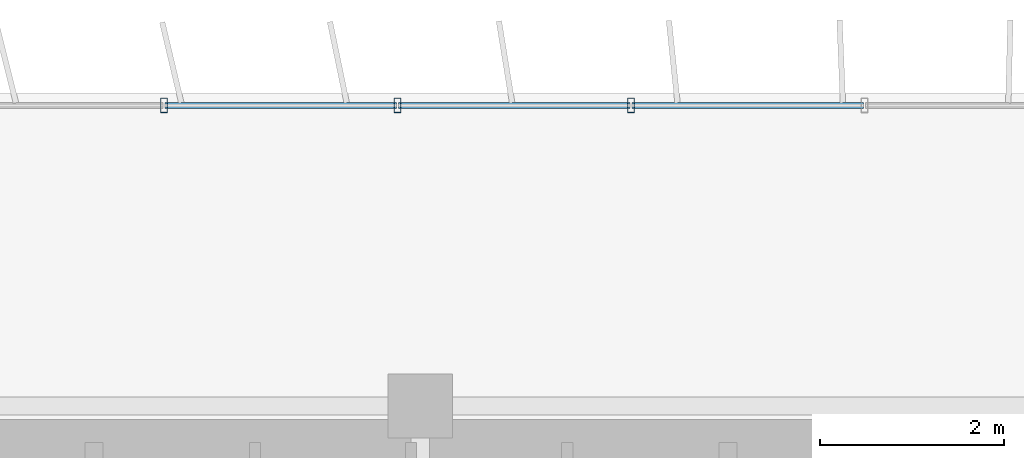
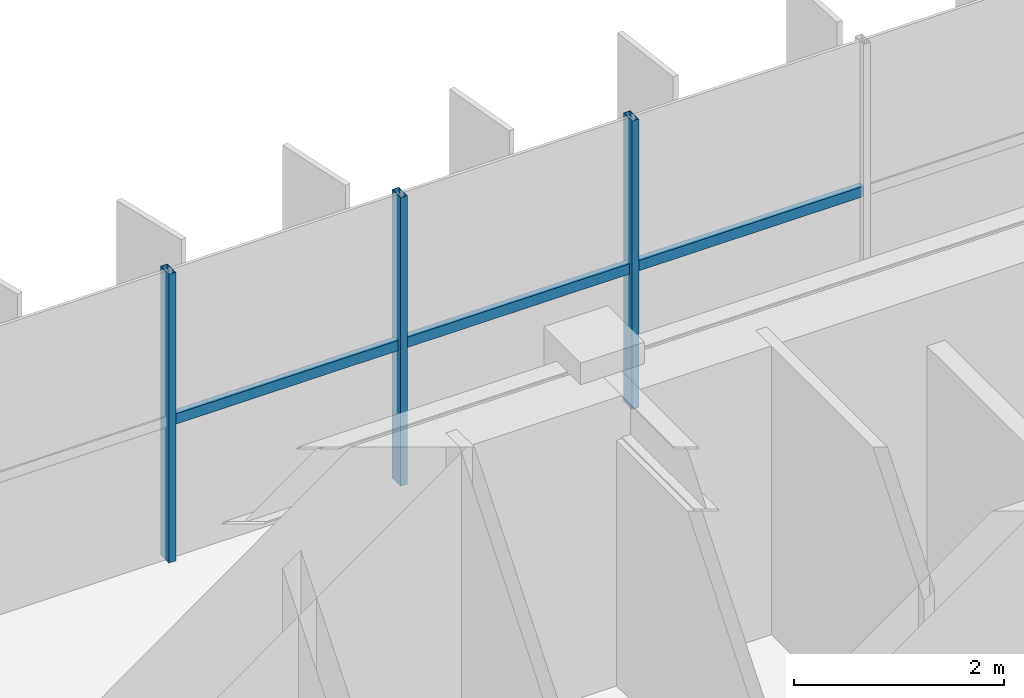
# One storey, part 9 of 20: 6 members, 1 element without a shape of its own.
"""IFC4 building model written with IfcOpenShell, lengths in metres."""

import ifcopenshell
import ifcopenshell.guid

model = None  # the IFC model being written
_history = None  # IfcOwnerHistory: only IFC2X3 demands one
_inside = {}  # id of a spatial element -> (the spatial element, [elements in it])
_under = {}  # id of a project, library or spatial element -> (it, [spatial elements below it])
_declared = {}  # id of a project -> (the project, [libraries it declares])
_typed = {}  # id of a type object -> (the type object, [elements of that type])
_made_of = {}  # id of a material, layer set ... -> (it, [elements and type objects made of it])


def new_model(schema):
    """Start an empty IFC model of exactly this schema.

    Asked for "IFC4X3", IfcOpenShell would pick the latest addendum, in which some entities
    have other attributes; the version numbers below select the first issue.
    IFC2X3 requires an IfcOwnerHistory on every rooted entity: one is made here for all.
    """
    global model, _history
    if schema == "IFC4X3":
        model = ifcopenshell.file(schema_version=(4, 3, 0, 0))
    else:
        model = ifcopenshell.file(schema=schema)
    _inside.clear()
    _under.clear()
    _declared.clear()
    _typed.clear()
    _made_of.clear()
    _history = None
    if model.schema == "IFC2X3":
        org = make("IfcOrganization", Name="unknown")
        user = make(
            "IfcPersonAndOrganization",
            ThePerson=make("IfcPerson", FamilyName="unknown"),
            TheOrganization=org,
        )
        app = make(
            "IfcApplication",
            ApplicationDeveloper=org,
            Version="unknown",
            ApplicationFullName="unknown",
            ApplicationIdentifier="unknown",
        )
        _history = make(
            "IfcOwnerHistory",
            OwningUser=user,
            OwningApplication=app,
            ChangeAction="ADDED",
            CreationDate=0,
        )
    return model


def make(cls, **values):
    """One entity of the class cls with the attributes given. An attribute that is None is left unset."""
    return model.create_entity(
        cls, **{name: value for name, value in values.items() if value is not None}
    )


def rooted(cls, **values):
    """An entity with a GlobalId (a new one), such as an element, a storey or a relation."""
    return make(cls, GlobalId=ifcopenshell.guid.new(), OwnerHistory=_history, **values)


def si_unit(unit_type, name, prefix=None):
    """IfcSIUnit, for example si_unit("LENGTHUNIT", "METRE", prefix="MILLI")."""
    return make("IfcSIUnit", UnitType=unit_type, Prefix=prefix, Name=name)


def assignment(units):
    """IfcUnitAssignment: the units of a project."""
    return None if units is None else make("IfcUnitAssignment", Units=units)


def point(xyz):
    """IfcCartesianPoint."""
    return None if xyz is None else make("IfcCartesianPoint", Coordinates=xyz)


def direction(xyz):
    """IfcDirection."""
    return None if xyz is None else make("IfcDirection", DirectionRatios=xyz)


def frame(location, z_axis=None, x_axis=None):
    """IfcAxis2Placement3D, a coordinate frame: its origin and axes. An axis left out is left unset."""
    return make(
        "IfcAxis2Placement3D",
        Location=point(location),
        Axis=direction(z_axis),
        RefDirection=direction(x_axis),
    )


def frame_2d(location, x_axis=None):
    """IfcAxis2Placement2D, a coordinate frame in the plane: its origin and x axis."""
    return make(
        "IfcAxis2Placement2D", Location=point(location), RefDirection=direction(x_axis)
    )


def origin():
    """The frame at (0, 0, 0) with its axes left unset."""
    return frame((0.0, 0.0, 0.0))


def origin_2d():
    """The frame at (0, 0) in the plane with its x axis left unset."""
    return frame_2d((0.0, 0.0))


def place(relative_to, where):
    """IfcLocalPlacement: puts the frame where relative to a parent placement (None: the world)."""
    return make(
        "IfcLocalPlacement", PlacementRelTo=relative_to, RelativePlacement=where
    )


def context(
    kind, dimensions, precision=None, world=None, true_north=None, identifier=None
):
    """IfcGeometricRepresentationContext, for example the 3D "Model" context."""
    return make(
        "IfcGeometricRepresentationContext",
        ContextIdentifier=identifier,
        ContextType=kind,
        CoordinateSpaceDimension=dimensions,
        Precision=precision,
        WorldCoordinateSystem=world,
        TrueNorth=true_north,
    )


def subcontext(parent, identifier, kind, view, scale=None):
    """IfcGeometricRepresentationSubContext, for example "Body" below "Model"."""
    return make(
        "IfcGeometricRepresentationSubContext",
        ContextIdentifier=identifier,
        ContextType=kind,
        ParentContext=parent,
        TargetScale=scale,
        TargetView=view,
    )


def project(units=None, contexts=None):
    """IfcProject with its units and contexts."""
    return rooted(
        "IfcProject",
        Name="project",
        RepresentationContexts=contexts,
        UnitsInContext=assignment(units),
    )


def spatial(cls, under=None, at=None, **own):
    """A site, building, storey or space (cls), placed at a placement, below another one or the project."""
    s = rooted(cls, ObjectPlacement=at, **own)
    if under is not None:
        _under.setdefault(under.id(), (under, []))[1].append(s)
    return s


def profile(cls, at=None, kind="AREA", **sizes):
    """A parametric profile (cls). Its sizes go by their IFC names, for example OverallWidth=200.0."""
    return make(cls, ProfileType=kind, Position=at, **sizes)


def hollow_rectangle(**sizes):
    """IfcRectangleHollowProfileDef."""
    return profile("IfcRectangleHollowProfileDef", **sizes)


def extrude(swept, where, along, depth):
    """IfcExtrudedAreaSolid: the profile swept, set in the frame where, extruded along a direction by depth."""
    return make(
        "IfcExtrudedAreaSolid",
        SweptArea=swept,
        Position=where,
        ExtrudedDirection=direction(along),
        Depth=depth,
    )


def shape(context_of_items, identifier, shape_type, items):
    """IfcShapeRepresentation: the items that make up one representation, for example the "Body"."""
    return make(
        "IfcShapeRepresentation",
        ContextOfItems=context_of_items,
        RepresentationIdentifier=identifier,
        RepresentationType=shape_type,
        Items=items,
    )


def source(mapping_origin, context_of_items, identifier, shape_type, items):
    """IfcRepresentationMap: a shape defined once, which mapped items show again and again."""
    return make(
        "IfcRepresentationMap",
        MappingOrigin=mapping_origin,
        MappedRepresentation=shape(context_of_items, identifier, shape_type, items),
    )


def transform(
    local_origin,
    x_axis=None,
    y_axis=None,
    z_axis=None,
    scale=None,
    scale2=None,
    scale3=None,
    uniform=True,
):
    """IfcCartesianTransformationOperator3D, or its non-uniform kind. x_axis, y_axis, z_axis: its Axis1, 2, 3."""
    if uniform:
        return make(
            "IfcCartesianTransformationOperator3D",
            Axis1=direction(x_axis),
            Axis2=direction(y_axis),
            LocalOrigin=point(local_origin),
            Scale=scale,
            Axis3=direction(z_axis),
        )
    return make(
        "IfcCartesianTransformationOperator3DnonUniform",
        Axis1=direction(x_axis),
        Axis2=direction(y_axis),
        LocalOrigin=point(local_origin),
        Scale=scale,
        Axis3=direction(z_axis),
        Scale2=scale2,
        Scale3=scale3,
    )


def mapped(mapping_source, mapping_target):
    """IfcMappedItem: shows the shape of a source again, moved by a transform."""
    return make(
        "IfcMappedItem", MappingSource=mapping_source, MappingTarget=mapping_target
    )


def material(Name=None, Category=None):
    """IfcMaterial."""
    return make("IfcMaterial", Name=Name, Category=Category)


def material_profile(
    of_material, cross_section, Name=None, Category=None, Priority=None
):
    """IfcMaterialProfile: a cross section and its material."""
    return make(
        "IfcMaterialProfile",
        Name=Name,
        Material=of_material,
        Profile=cross_section,
        Priority=Priority,
        Category=Category,
    )


def profile_set(profiles, Name=None, composite=None):
    """IfcMaterialProfileSet."""
    return make(
        "IfcMaterialProfileSet",
        Name=Name,
        MaterialProfiles=profiles,
        CompositeProfile=composite,
    )


def made_of(thing, what):
    """Note that an element or type object is made of a material, layer set ...; save() writes the relation."""
    if what is not None:
        _made_of.setdefault(what.id(), (what, []))[1].append(thing)
    return thing


def type_object(cls, material=None, **own):
    """A type object (cls), such as IfcWallType, which elements share."""
    return made_of(rooted(cls, **own), material)


def element(
    cls,
    number,
    at=None,
    inside=None,
    cuts=None,
    type_object=None,
    material=None,
    context=None,
    identifier="Body",
    shape_type=None,
    held_by="IfcProductDefinitionShape",
    body=None,
    shapes=None,
    **own,
):
    """One element of the class cls, such as IfcWall. Its Tag is "e" and its number.

    at: its placement. inside: the storey or other place that contains it. cuts: it is an
    opening in that element (IfcRelVoidsElement). A single representation is given by context,
    identifier, shape_type and body (its items); several are given by shapes. held_by: the class
    of the entity that holds the representations. save() writes the other relations.
    """
    e = rooted(cls, Tag="e%d" % number, ObjectPlacement=at, **own)
    if body is not None:
        shapes = [shape(context, identifier, shape_type, body)]
    if shapes is not None:
        e.Representation = make(held_by, Representations=shapes)
    if inside is not None:
        _inside.setdefault(inside.id(), (inside, []))[1].append(e)
    if cuts is not None:
        rooted(
            "IfcRelVoidsElement", RelatingBuildingElement=cuts, RelatedOpeningElement=e
        )
    if type_object is not None:
        _typed.setdefault(type_object.id(), (type_object, []))[1].append(e)
    return made_of(e, material)


def aggregate(whole, parts):
    """IfcRelAggregates: a whole, such as a stair, and the parts it consists of."""
    return rooted("IfcRelAggregates", RelatingObject=whole, RelatedObjects=parts)


def save(model, path):
    """Write the relations noted so far, then the file.

    IfcRelAggregates (storeys below a building ...), IfcRelContainedInSpatialStructure (elements
    in a storey), IfcRelDefinesByType, IfcRelAssociatesMaterial and IfcRelDeclares: one each for
    every whole, place, type object, material and project.
    """
    for whole, parts in _under.values():
        aggregate(whole, parts)
    for where, things in _inside.values():
        rooted(
            "IfcRelContainedInSpatialStructure",
            RelatedElements=things,
            RelatingStructure=where,
        )
    for kind, things in _typed.values():
        rooted("IfcRelDefinesByType", RelatedObjects=things, RelatingType=kind)
    for what, things in _made_of.values():
        rooted("IfcRelAssociatesMaterial", RelatedObjects=things, RelatingMaterial=what)
    for by, libraries in _declared.values():
        rooted("IfcRelDeclares", RelatingContext=by, RelatedDefinitions=libraries)
    model.write(path)


model = new_model("IFC4")

# Units and contexts
model_context = context("Model", 3, precision=1e-05, world=origin(), true_north=direction((0.0, 1.0)))
body_context = subcontext(model_context, "Body", "Model", "MODEL_VIEW")
ifc_project = project(units=[si_unit("LENGTHUNIT", "METRE"), si_unit("AREAUNIT", "SQUARE_METRE"), si_unit("VOLUMEUNIT", "CUBIC_METRE"), si_unit("PLANEANGLEUNIT", "RADIAN"), si_unit("MASSUNIT", "GRAM", prefix="KILO")], contexts=[model_context])

# Site, building, storey
site_placement = place(None, origin())
site = spatial("IfcSite", under=ifc_project, at=site_placement, CompositionType="ELEMENT")
building_placement = place(site_placement, origin())
building = spatial("IfcBuilding", under=site, at=building_placement, Name="Trelvane Seafront Commons", CompositionType="ELEMENT")
storey_placement = place(building_placement, frame((0.0, 0.0, 150.10009765625)))
storey = spatial("IfcBuildingStorey", under=building, at=storey_placement, Name="L39", CompositionType="ELEMENT", Elevation=150.10009765625)

# Curtain wall, members
ifc_material = material(Name="Anodised pale-silver aluminium", Category="aluminium")
curtain_wall_type = type_object("IfcCurtainWallType", Name="ARCH-CW5-UPTOWER", PredefinedType="NOTDEFINED", material=ifc_material)
curtain_wall_placement = place(storey_placement, origin())
curtain_wall = element("IfcCurtainWall", 1, at=curtain_wall_placement, inside=storey, type_object=curtain_wall_type, Name="CW-L39-0066", PredefinedType="NOTDEFINED")
ifc_material_profile_1 = material_profile(ifc_material, hollow_rectangle(XDim=0.070068359375, YDim=0.1201171875, WallThickness=0.00390625, at=origin_2d()), Name="TRAN-70x120x4")
ifc_profile_set_1 = profile_set([ifc_material_profile_1], Name="Anodised pale-silver aluminium")
member_type_1 = type_object("IfcMemberType", Name="ARCH-CW-TRAN-120", PredefinedType="USERDEFINED", material=ifc_profile_set_1)
shared_shape_1 = source(origin(), body_context, "Body", "SweptSolid", [
    extrude(hollow_rectangle(XDim=0.070068359375, YDim=0.1201171875, WallThickness=0.00390625, at=origin_2d()), origin(), (0.0, 0.0, 1.0), 2.51708984375),
])
member_1_placement = place(storey_placement, frame((43.56494140625, 48.3701171875, 1.60791015625), z_axis=(1.0, 0.0, 0.0), x_axis=(0.0, 1.0, 0.0)))
member_1 = element("IfcMember", 2, at=member_1_placement, type_object=member_type_1, Name="CW-L39-0066-T11", ObjectType="TRANSOM", PredefinedType="USERDEFINED", context=body_context, shape_type="MappedRepresentation", body=[
    mapped(shared_shape_1, transform((0.0, 0.0, 0.0), x_axis=(1.0, 0.0, 0.0), y_axis=(0.0, 1.0, 0.0), z_axis=(0.0, 0.0, 1.0), scale=1.0)),
])
member_2_placement = place(storey_placement, frame((46.106201171875, 48.3701171875, 1.60791015625), z_axis=(1.0, 0.0, 0.0), x_axis=(0.0, 1.0, 0.0)))
member_2 = element("IfcMember", 3, at=member_2_placement, type_object=member_type_1, Name="CW-L39-0066-T12", ObjectType="TRANSOM", PredefinedType="USERDEFINED", context=body_context, shape_type="MappedRepresentation", body=[
    mapped(shared_shape_1, transform((0.0, 0.0, 0.0), x_axis=(1.0, 0.0, 0.0), y_axis=(0.0, 1.0, 0.0), z_axis=(0.0, 0.0, 1.0), scale=1.0)),
])
shared_shape_2 = source(origin(), body_context, "Body", "SweptSolid", [
    extrude(hollow_rectangle(XDim=0.070068359375, YDim=0.1201171875, WallThickness=0.00390625, at=origin_2d()), origin(), (0.0, 0.0, 1.0), 2.517333984375),
])
member_3_placement = place(storey_placement, frame((41.023681640625, 48.3701171875, 1.60791015625), z_axis=(1.0, 0.0, 0.0), x_axis=(0.0, 1.0, 0.0)))
member_3 = element("IfcMember", 4, at=member_3_placement, type_object=member_type_1, Name="CW-L39-0066-T10", ObjectType="TRANSOM", PredefinedType="USERDEFINED", context=body_context, shape_type="MappedRepresentation", body=[
    mapped(shared_shape_2, transform((0.0, 0.0, 0.0), x_axis=(1.0, 0.0, 0.0), y_axis=(0.0, 1.0, 0.0), z_axis=(0.0, 0.0, 1.0), scale=1.0)),
])
ifc_material_profile_2 = material_profile(ifc_material, hollow_rectangle(XDim=0.074951171875, YDim=0.159912109375, WallThickness=0.00390625, at=origin_2d()), Name="MULL-75x160x4")
ifc_profile_set_2 = profile_set([ifc_material_profile_2], Name="Anodised pale-silver aluminium")
member_type_2 = type_object("IfcMemberType", Name="ARCH-CW-MULL-160", PredefinedType="MULLION", material=ifc_profile_set_2)
shared_shape_3 = source(origin(), body_context, "Body", "SweptSolid", [
    extrude(hollow_rectangle(XDim=0.074951171875, YDim=0.159912109375, WallThickness=0.00390625, at=origin_2d()), origin(), (0.0, 0.0, 1.0), 3.349853515625),
])
member_4_placement = place(storey_placement, frame((41.01171875, 48.3701171875, 0.0), z_axis=(0.0, 0.0, 1.0), x_axis=(1.0, 0.0, 0.0)))
member_4 = element("IfcMember", 5, at=member_4_placement, type_object=member_type_2, Name="CW-L39-0066-M10", PredefinedType="MULLION", context=body_context, shape_type="MappedRepresentation", body=[
    mapped(shared_shape_3, transform((0.0, 0.0, 0.0), x_axis=(1.0, 0.0, 0.0), y_axis=(0.0, 1.0, 0.0), z_axis=(0.0, 0.0, 1.0), scale=1.0)),
])
member_5_placement = place(storey_placement, frame((43.552978515625, 48.3701171875, 0.0), z_axis=(0.0, 0.0, 1.0), x_axis=(1.0, 0.0, 0.0)))
member_5 = element("IfcMember", 6, at=member_5_placement, type_object=member_type_2, Name="CW-L39-0066-M11", PredefinedType="MULLION", context=body_context, shape_type="MappedRepresentation", body=[
    mapped(shared_shape_3, transform((0.0, 0.0, 0.0), x_axis=(1.0, 0.0, 0.0), y_axis=(0.0, 1.0, 0.0), z_axis=(0.0, 0.0, 1.0), scale=1.0)),
])
member_6_placement = place(storey_placement, frame((46.093994140625, 48.3701171875, 0.0), z_axis=(0.0, 0.0, 1.0), x_axis=(1.0, 0.0, 0.0)))
member_6 = element("IfcMember", 7, at=member_6_placement, type_object=member_type_2, Name="CW-L39-0066-M12", PredefinedType="MULLION", context=body_context, shape_type="MappedRepresentation", body=[
    mapped(shared_shape_3, transform((0.0, 0.0, 0.0), x_axis=(1.0, 0.0, 0.0), y_axis=(0.0, 1.0, 0.0), z_axis=(0.0, 0.0, 1.0), scale=1.0)),
])
aggregate(curtain_wall, [member_4, member_5, member_6, member_3, member_1, member_2])

save(model, "model.ifc")
